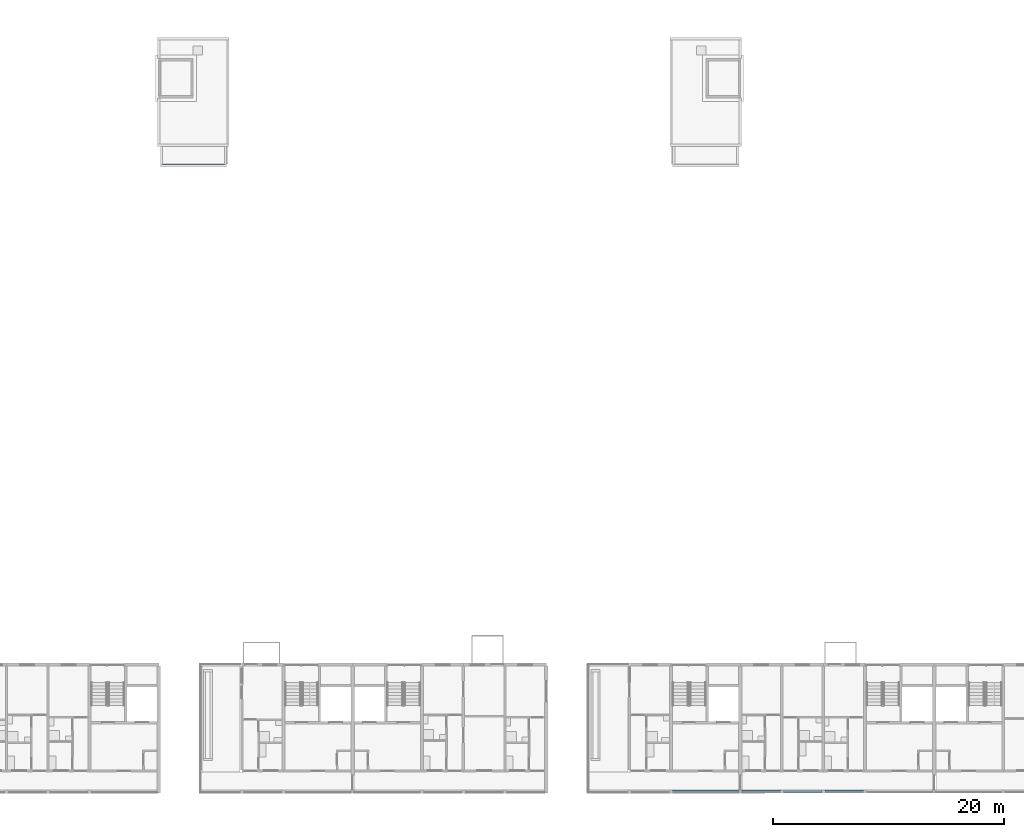
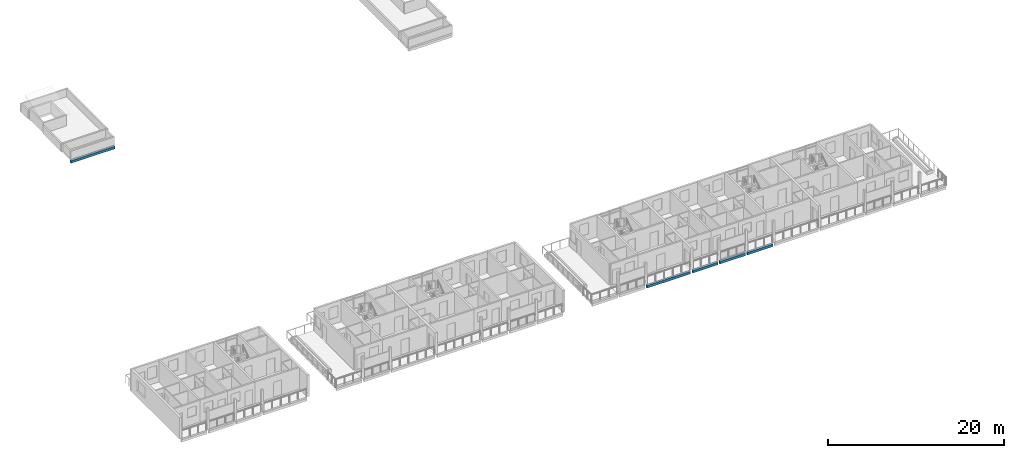
# One storey, part 6 of 64: 5 beams.
"""IFC4 building model written with IfcOpenShell, lengths in metres."""

from ifc_helpers import new_model, si_unit, direction, frame, origin, origin_2d, place, context, subcontext, project, spatial, rectangle, extrude, material, material_profile, profile_set, type_object, element, save


model = new_model("IFC4")

# Units and contexts
model_context = context("Model", 3, precision=1e-05, world=origin(), true_north=direction((0.0, 1.0)))
body_context = subcontext(model_context, "Body", "Model", "MODEL_VIEW")
ifc_project = project(units=[si_unit("LENGTHUNIT", "METRE"), si_unit("AREAUNIT", "SQUARE_METRE"), si_unit("VOLUMEUNIT", "CUBIC_METRE"), si_unit("PLANEANGLEUNIT", "RADIAN"), si_unit("MASSUNIT", "GRAM", prefix="KILO")], contexts=[model_context])

# Site, building, storey
site_placement = place(None, origin())
site = spatial("IfcSite", under=ifc_project, at=site_placement, CompositionType="ELEMENT")
building_placement = place(site_placement, origin())
building = spatial("IfcBuilding", under=site, at=building_placement, Name="Ridgestep Commons", CompositionType="ELEMENT")
storey_placement = place(building_placement, frame((0.0, 0.0, 33.0)))
storey = spatial("IfcBuildingStorey", under=building, at=storey_placement, Name="L11", CompositionType="ELEMENT", Elevation=33.0)

# Beams
ifc_material = material(Name="Precast concrete C40/50", Category="concrete")
ifc_material_profile = material_profile(ifc_material, rectangle(XDim=0.25, YDim=0.35009765625, at=origin_2d()), Name="PC 250x350")
ifc_profile_set = profile_set([ifc_material_profile], Name="Precast concrete C40/50")
beam_type = type_object("IfcBeamType", Name="Loggia edge beam 250 x 350", PredefinedType="SPANDREL", material=ifc_profile_set)
beam_1_placement = place(storey_placement, frame((73.324951171875, 11.875, -0.375), z_axis=(1.0, 0.0, 0.0), x_axis=(0.0, 1.0, 0.0)))
element("IfcBeam", 1, at=beam_1_placement, inside=storey, type_object=beam_type, Name="Loggia edge beam A4C L11", PredefinedType="SPANDREL", context=body_context, shape_type="SweptSolid", body=[
    extrude(rectangle(XDim=0.25, YDim=0.35009765625, at=origin_2d()), origin(), (0.0, 0.0, 1.0), 5.72509765625),
])
beam_2_placement = place(storey_placement, frame((79.35009765625, 11.875, -0.375), z_axis=(1.0, 0.0, 0.0), x_axis=(0.0, 1.0, 0.0)))
element("IfcBeam", 2, at=beam_2_placement, inside=storey, type_object=beam_type, Name="Loggia edge beam A5T1 L11", PredefinedType="SPANDREL", context=body_context, shape_type="SweptSolid", body=[
    extrude(rectangle(XDim=0.25, YDim=0.35009765625, at=origin_2d()), origin(), (0.0, 0.0, 1.0), 3.324951171875),
])
beam_3_placement = place(storey_placement, frame((82.925048828125, 11.875, -0.375), z_axis=(1.0, 0.0, 0.0), x_axis=(0.0, 1.0, 0.0)))
element("IfcBeam", 3, at=beam_3_placement, inside=storey, type_object=beam_type, Name="Loggia edge beam A5T2 L11", PredefinedType="SPANDREL", context=body_context, shape_type="SweptSolid", body=[
    extrude(rectangle(XDim=0.25, YDim=0.35009765625, at=origin_2d()), origin(), (0.0, 0.0, 1.0), 3.349853515625),
])
beam_4_placement = place(storey_placement, frame((86.52490234375, 11.875, -0.375), z_axis=(1.0, 0.0, 0.0), x_axis=(0.0, 1.0, 0.0)))
element("IfcBeam", 4, at=beam_4_placement, inside=storey, type_object=beam_type, Name="Loggia edge beam A5T3 L11", PredefinedType="SPANDREL", context=body_context, shape_type="SweptSolid", body=[
    extrude(rectangle(XDim=0.25, YDim=0.35009765625, at=origin_2d()), origin(), (0.0, 0.0, 1.0), 3.35009765625),
])
beam_5_placement = place(storey_placement, frame((28.949951171875, 66.125, -0.375), z_axis=(1.0, 0.0, 0.0), x_axis=(0.0, 1.0, 0.0)))
element("IfcBeam", 5, at=beam_5_placement, inside=storey, type_object=beam_type, Name="Loggia edge beam B2C L11", PredefinedType="SPANDREL", context=body_context, shape_type="SweptSolid", body=[
    extrude(rectangle(XDim=0.25, YDim=0.35009765625, at=origin_2d()), origin(), (0.0, 0.0, 1.0), 5.72509765625),
])

save(model, "model.ifc")
